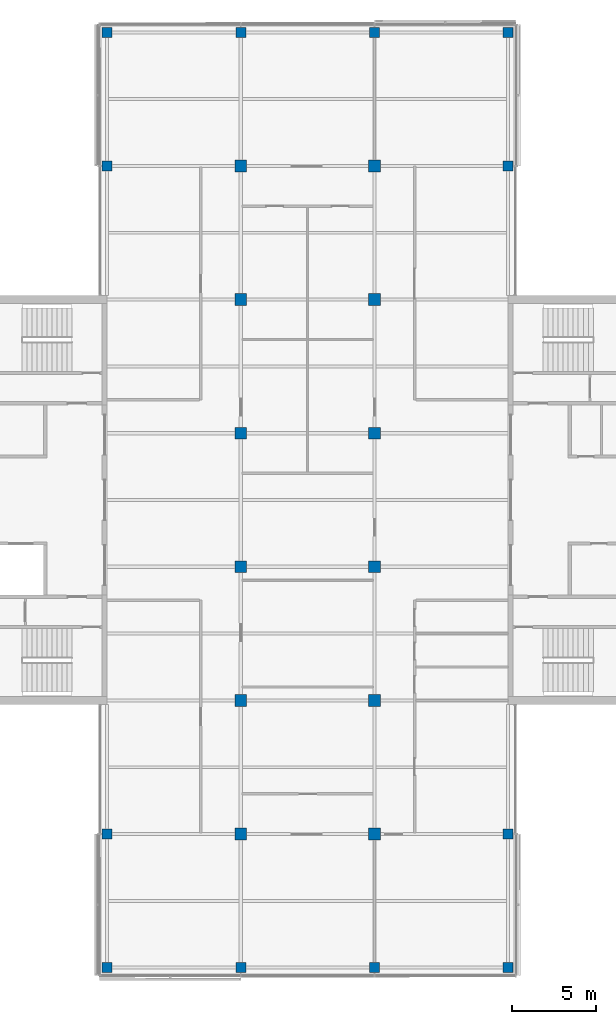
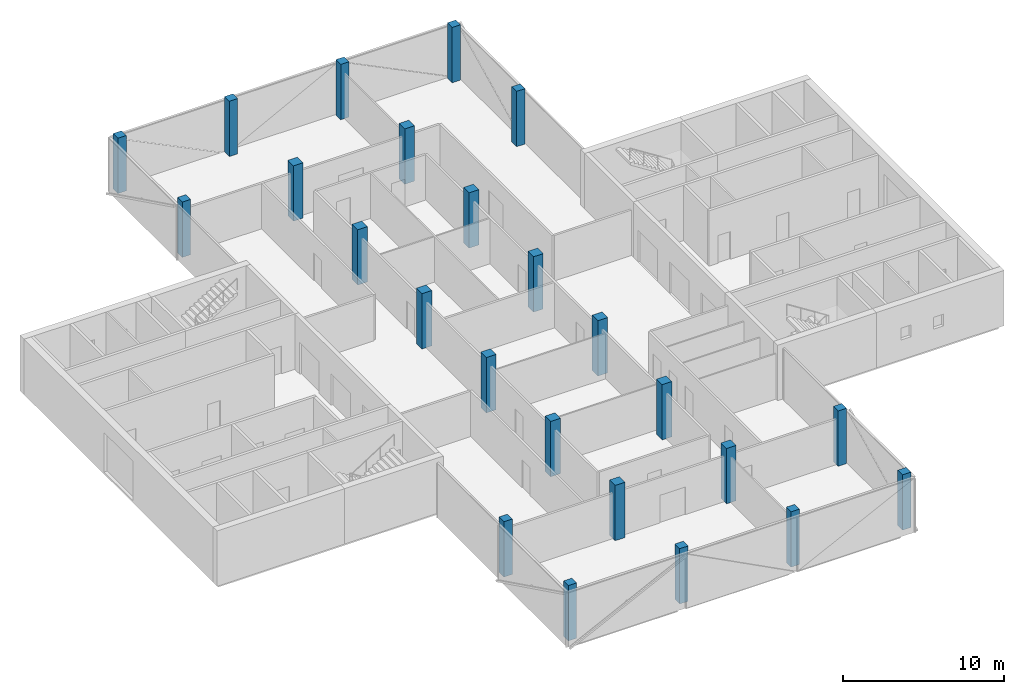
# One storey, part 1 of 15: 24 columns.
"""IFC4 building model written with IfcOpenShell, lengths in metres."""

from ifc_helpers import new_model, si_unit, direction, frame, origin, origin_2d, place, context, subcontext, project, spatial, rectangle, extrude, material, material_profile, profile_set, type_object, element, save


model = new_model("IFC4")

# Units and contexts
model_context = context("Model", 3, precision=1e-05, world=origin(), true_north=direction((0.0, 1.0)))
body_context = subcontext(model_context, "Body", "Model", "MODEL_VIEW")
ifc_project = project(units=[si_unit("LENGTHUNIT", "METRE"), si_unit("AREAUNIT", "SQUARE_METRE"), si_unit("VOLUMEUNIT", "CUBIC_METRE"), si_unit("PLANEANGLEUNIT", "RADIAN"), si_unit("MASSUNIT", "GRAM", prefix="KILO")], contexts=[model_context])

# Site, building, storey
site_placement = place(None, origin())
site = spatial("IfcSite", under=ifc_project, at=site_placement, CompositionType="ELEMENT")
building_placement = place(site_placement, origin())
building = spatial("IfcBuilding", under=site, at=building_placement, Name="Crosswind Convention Tower", CompositionType="ELEMENT")
storey_placement = place(building_placement, frame((0.0, 0.0, 266.10009765625)))
storey = spatial("IfcBuildingStorey", under=building, at=storey_placement, Name="L57", CompositionType="ELEMENT", Elevation=266.10009765625)

# Columns
ifc_material = material(Name="Concrete C60/75", Category="concrete")
ifc_material_profile_1 = material_profile(ifc_material, rectangle(XDim=0.60009765625, YDim=0.60009765625, at=origin_2d()), Name="RC 600X600")
ifc_profile_set_1 = profile_set([ifc_material_profile_1], Name="Concrete C60/75")
column_type_1 = type_object("IfcColumnType", Name="Column RC 600X600", PredefinedType="COLUMN", material=ifc_profile_set_1)
for number, where, z_axis, x_axis, name in (
    (1, (113.0, 72.0, 0.0), (0.0, 0.0, 1.0), (1.0, 0.0, 0.0), "C16 L57 5/C"),
    (2, (113.0, 80.0, 0.0), (0.0, 0.0, 1.0), (1.0, 0.0, 0.0), "C16 L57 5/D"),
    (3, (113.0, 120.0, 0.0), (0.0, 0.0, 1.0), (1.0, 0.0, 0.0), "C16 L57 5/I"),
    (4, (113.0, 128.0, 0.0), (0.0, 0.0, 1.0), (1.0, 0.0, 0.0), "C16 L57 5/J"),
    (5, (121.0, 72.0, 0.0), (0.0, 0.0, 1.0), (1.0, 0.0, 0.0), "C16 L57 6/C"),
    (6, (121.0, 128.0, 0.0), (0.0, 0.0, 1.0), (1.0, 0.0, 0.0), "C16 L57 6/J"),
    (7, (129.0, 72.0, 0.0), (0.0, 0.0, 1.0), (1.0, 0.0, 0.0), "C16 L57 7/C"),
    (8, (129.0, 128.0, 0.0), (0.0, 0.0, 1.0), (1.0, 0.0, 0.0), "C16 L57 7/J"),
    (9, (137.0, 72.0, 0.0), (0.0, 0.0, 1.0), (1.0, 0.0, 0.0), "C16 L57 8/C"),
    (10, (137.0, 80.0, 0.0), (0.0, 0.0, 1.0), (1.0, 0.0, 0.0), "C16 L57 8/D"),
    (11, (137.0, 120.0, 0.0), (0.0, 0.0, 1.0), (1.0, 0.0, 0.0), "C16 L57 8/I"),
    (12, (137.0, 128.0, 0.0), (0.0, 0.0, 1.0), (1.0, 0.0, 0.0), "C16 L57 8/J"),
):
    element("IfcColumn", number, at=place(storey_placement, frame(where, z_axis=z_axis, x_axis=x_axis)), inside=storey, type_object=column_type_1, Name=name, PredefinedType="COLUMN", context=body_context, shape_type="SweptSolid", body=[
        extrude(rectangle(XDim=0.60009765625, YDim=0.60009765625, at=origin_2d()), origin(), (0.0, 0.0, 1.0), 4.199951171875),
    ])
ifc_material_profile_2 = material_profile(ifc_material, rectangle(XDim=0.699951171875, YDim=0.699951171875, at=origin_2d()), Name="RC 700X700")
ifc_profile_set_2 = profile_set([ifc_material_profile_2], Name="Concrete C60/75")
column_type_2 = type_object("IfcColumnType", Name="Column RC 700X700", PredefinedType="COLUMN", material=ifc_profile_set_2)
for number, where, z_axis, x_axis, name in (
    (13, (121.0, 80.0, 0.0), (0.0, 0.0, 1.0), (1.0, 0.0, 0.0), "C15 L57 6/D"),
    (14, (121.0, 88.0, 0.0), (0.0, 0.0, 1.0), (1.0, 0.0, 0.0), "C15 L57 6/E"),
    (15, (121.0, 96.0, 0.0), (0.0, 0.0, 1.0), (1.0, 0.0, 0.0), "C15 L57 6/F"),
    (16, (121.0, 104.0, 0.0), (0.0, 0.0, 1.0), (1.0, 0.0, 0.0), "C15 L57 6/G"),
    (17, (121.0, 112.0, 0.0), (0.0, 0.0, 1.0), (1.0, 0.0, 0.0), "C15 L57 6/H"),
    (18, (121.0, 120.0, 0.0), (0.0, 0.0, 1.0), (1.0, 0.0, 0.0), "C15 L57 6/I"),
    (19, (129.0, 80.0, 0.0), (0.0, 0.0, 1.0), (1.0, 0.0, 0.0), "C15 L57 7/D"),
    (20, (129.0, 88.0, 0.0), (0.0, 0.0, 1.0), (1.0, 0.0, 0.0), "C15 L57 7/E"),
    (21, (129.0, 96.0, 0.0), (0.0, 0.0, 1.0), (1.0, 0.0, 0.0), "C15 L57 7/F"),
    (22, (129.0, 104.0, 0.0), (0.0, 0.0, 1.0), (1.0, 0.0, 0.0), "C15 L57 7/G"),
    (23, (129.0, 112.0, 0.0), (0.0, 0.0, 1.0), (1.0, 0.0, 0.0), "C15 L57 7/H"),
    (24, (129.0, 120.0, 0.0), (0.0, 0.0, 1.0), (1.0, 0.0, 0.0), "C15 L57 7/I"),
):
    element("IfcColumn", number, at=place(storey_placement, frame(where, z_axis=z_axis, x_axis=x_axis)), inside=storey, type_object=column_type_2, Name=name, PredefinedType="COLUMN", context=body_context, shape_type="SweptSolid", body=[
        extrude(rectangle(XDim=0.699951171875, YDim=0.699951171875, at=origin_2d()), origin(), (0.0, 0.0, 1.0), 4.199951171875),
    ])

save(model, "model.ifc")
